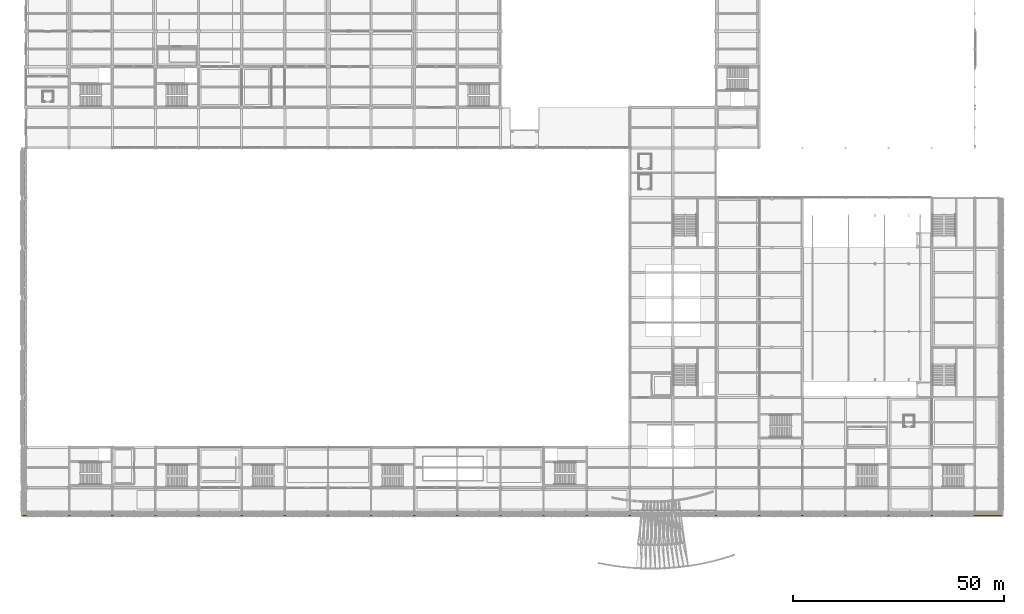
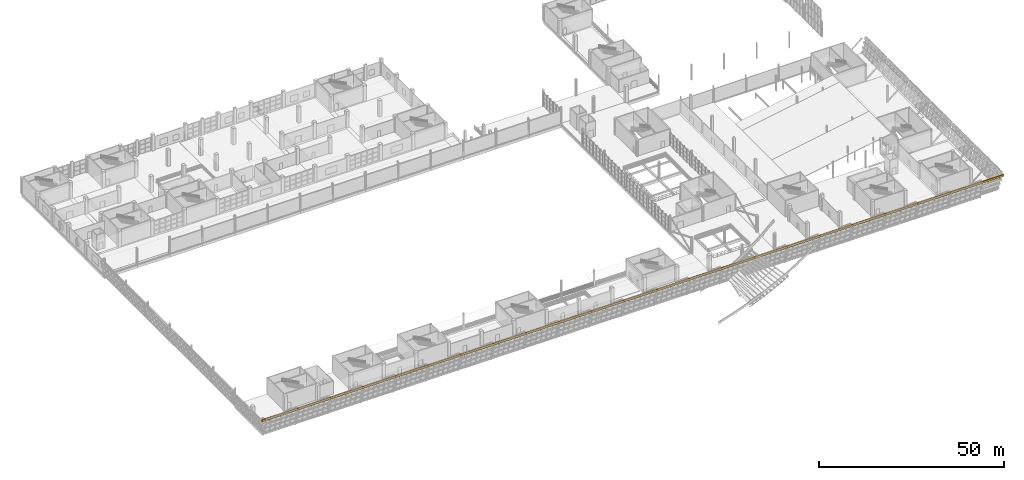
# One storey, part 157 of 175: 1 railing.
"""IFC4 building model written with IfcOpenShell, lengths in metres."""

from ifc_helpers import new_model, si_unit, direction, frame, origin, origin_2d, place, context, subcontext, project, spatial, rectangle, circle, extrude, material, type_object, element, save


model = new_model("IFC4")

# Units and contexts
model_context = context("Model", 3, precision=1e-05, world=origin(), true_north=direction((0.0, 1.0)))
body_context = subcontext(model_context, "Body", "Model", "MODEL_VIEW")
ifc_project = project(units=[si_unit("LENGTHUNIT", "METRE"), si_unit("AREAUNIT", "SQUARE_METRE"), si_unit("VOLUMEUNIT", "CUBIC_METRE"), si_unit("PLANEANGLEUNIT", "RADIAN"), si_unit("MASSUNIT", "GRAM", prefix="KILO")], contexts=[model_context])

# Site, building, storey
site_placement = place(None, origin())
site = spatial("IfcSite", under=ifc_project, at=site_placement, CompositionType="ELEMENT")
building_placement = place(site_placement, origin())
building = spatial("IfcBuilding", under=site, at=building_placement, Name="Brelvane Convention Centre", CompositionType="ELEMENT")
storey_placement = place(building_placement, frame((0.0, 0.0, 5.39990234375)))
storey = spatial("IfcBuildingStorey", under=building, at=storey_placement, Name="L01", CompositionType="ELEMENT", Elevation=5.39990234375)

# Railing
ifc_material = material(Name="Steel E350 (350 MPa)", Category="steel")
railing_type = type_object("IfcRailingType", Name="Railing BL-CU-1", PredefinedType="BALUSTRADE", material=ifc_material)
railing_placement = place(storey_placement, frame((-1.02587890625, 12.634033203125, 3.9501953125)))
element("IfcRailing", 1, at=railing_placement, inside=storey, type_object=railing_type, Name="Railing BL-CU-1 L01-cu_hull_s_3", PredefinedType="BALUSTRADE", context=body_context, shape_type="SweptSolid", body=[
    extrude(rectangle(XDim=0.280029296875, YDim=0.6201171875, at=origin_2d()), frame((0.0, 0.0, 0.81005859375), z_axis=(1.0, 0.0, 0.0), x_axis=(0.0, 1.0, 0.0)), (0.0, 0.0, 1.0), 231.991943359375),
    extrude(circle(Radius=0.02099609375, at=origin_2d()), origin(), (0.0, 0.0, 1.0), 1.072021484375),
    extrude(circle(Radius=0.02099609375, at=origin_2d()), frame((1.19580078125, 0.0, 0.0)), (0.0, 0.0, 1.0), 1.072021484375),
    extrude(circle(Radius=0.02099609375, at=origin_2d()), frame((2.3916015625, 0.0, 0.0)), (0.0, 0.0, 1.0), 1.072021484375),
    extrude(circle(Radius=0.02099609375, at=origin_2d()), frame((3.58740234375, 0.0, 0.0)), (0.0, 0.0, 1.0), 1.072021484375),
    extrude(circle(Radius=0.02099609375, at=origin_2d()), frame((4.783447265625, 0.0, 0.0)), (0.0, 0.0, 1.0), 1.072021484375),
    extrude(circle(Radius=0.02099609375, at=origin_2d()), frame((5.979248046875, 0.0, 0.0)), (0.0, 0.0, 1.0), 1.072021484375),
    extrude(circle(Radius=0.02099609375, at=origin_2d()), frame((7.175048828125, 0.0, 0.0)), (0.0, 0.0, 1.0), 1.072021484375),
    extrude(circle(Radius=0.02099609375, at=origin_2d()), frame((8.370849609375, 0.0, 0.0)), (0.0, 0.0, 1.0), 1.072021484375),
    extrude(circle(Radius=0.02099609375, at=origin_2d()), frame((9.566650390625, 0.0, 0.0)), (0.0, 0.0, 1.0), 1.072021484375),
    extrude(circle(Radius=0.02099609375, at=origin_2d()), frame((10.762451171875, 0.0, 0.0)), (0.0, 0.0, 1.0), 1.072021484375),
    extrude(circle(Radius=0.02099609375, at=origin_2d()), frame((11.958251953125, 0.0, 0.0)), (0.0, 0.0, 1.0), 1.072021484375),
    extrude(circle(Radius=0.02099609375, at=origin_2d()), frame((13.154296875, 0.0, 0.0)), (0.0, 0.0, 1.0), 1.072021484375),
    extrude(circle(Radius=0.02099609375, at=origin_2d()), frame((14.35009765625, 0.0, 0.0)), (0.0, 0.0, 1.0), 1.072021484375),
    extrude(circle(Radius=0.02099609375, at=origin_2d()), frame((15.5458984375, 0.0, 0.0)), (0.0, 0.0, 1.0), 1.072021484375),
    extrude(circle(Radius=0.02099609375, at=origin_2d()), frame((16.74169921875, 0.0, 0.0)), (0.0, 0.0, 1.0), 1.072021484375),
    extrude(circle(Radius=0.02099609375, at=origin_2d()), frame((17.9375, 0.0, 0.0)), (0.0, 0.0, 1.0), 1.072021484375),
    extrude(circle(Radius=0.02099609375, at=origin_2d()), frame((19.13330078125, 0.0, 0.0)), (0.0, 0.0, 1.0), 1.072021484375),
    extrude(circle(Radius=0.02099609375, at=origin_2d()), frame((20.3291015625, 0.0, 0.0)), (0.0, 0.0, 1.0), 1.072021484375),
    extrude(circle(Radius=0.02099609375, at=origin_2d()), frame((21.525146484375, 0.0, 0.0)), (0.0, 0.0, 1.0), 1.072021484375),
    extrude(circle(Radius=0.02099609375, at=origin_2d()), frame((22.720947265625, 0.0, 0.0)), (0.0, 0.0, 1.0), 1.072021484375),
    extrude(circle(Radius=0.02099609375, at=origin_2d()), frame((23.916748046875, 0.0, 0.0)), (0.0, 0.0, 1.0), 1.072021484375),
    extrude(circle(Radius=0.02099609375, at=origin_2d()), frame((25.112548828125, 0.0, 0.0)), (0.0, 0.0, 1.0), 1.072021484375),
    extrude(circle(Radius=0.02099609375, at=origin_2d()), frame((26.308349609375, 0.0, 0.0)), (0.0, 0.0, 1.0), 1.072021484375),
    extrude(circle(Radius=0.02099609375, at=origin_2d()), frame((27.504150390625, 0.0, 0.0)), (0.0, 0.0, 1.0), 1.072021484375),
    extrude(circle(Radius=0.02099609375, at=origin_2d()), frame((28.699951171875, 0.0, 0.0)), (0.0, 0.0, 1.0), 1.072021484375),
    extrude(circle(Radius=0.02099609375, at=origin_2d()), frame((29.895751953125, 0.0, 0.0)), (0.0, 0.0, 1.0), 1.072021484375),
    extrude(circle(Radius=0.02099609375, at=origin_2d()), frame((31.091796875, 0.0, 0.0)), (0.0, 0.0, 1.0), 1.072021484375),
    extrude(circle(Radius=0.02099609375, at=origin_2d()), frame((32.28759765625, 0.0, 0.0)), (0.0, 0.0, 1.0), 1.072021484375),
    extrude(circle(Radius=0.02099609375, at=origin_2d()), frame((33.4833984375, 0.0, 0.0)), (0.0, 0.0, 1.0), 1.072021484375),
    extrude(circle(Radius=0.02099609375, at=origin_2d()), frame((34.67919921875, 0.0, 0.0)), (0.0, 0.0, 1.0), 1.072021484375),
    extrude(circle(Radius=0.02099609375, at=origin_2d()), frame((35.875, 0.0, 0.0)), (0.0, 0.0, 1.0), 1.072021484375),
    extrude(circle(Radius=0.02099609375, at=origin_2d()), frame((37.07080078125, 0.0, 0.0)), (0.0, 0.0, 1.0), 1.072021484375),
    extrude(circle(Radius=0.02099609375, at=origin_2d()), frame((38.2666015625, 0.0, 0.0)), (0.0, 0.0, 1.0), 1.072021484375),
    extrude(circle(Radius=0.02099609375, at=origin_2d()), frame((39.462646484375, 0.0, 0.0)), (0.0, 0.0, 1.0), 1.072021484375),
    extrude(circle(Radius=0.02099609375, at=origin_2d()), frame((40.658447265625, 0.0, 0.0)), (0.0, 0.0, 1.0), 1.072021484375),
    extrude(circle(Radius=0.02099609375, at=origin_2d()), frame((41.854248046875, 0.0, 0.0)), (0.0, 0.0, 1.0), 1.072021484375),
    extrude(circle(Radius=0.02099609375, at=origin_2d()), frame((43.050048828125, 0.0, 0.0)), (0.0, 0.0, 1.0), 1.072021484375),
    extrude(circle(Radius=0.02099609375, at=origin_2d()), frame((44.245849609375, 0.0, 0.0)), (0.0, 0.0, 1.0), 1.072021484375),
    extrude(circle(Radius=0.02099609375, at=origin_2d()), frame((45.441650390625, 0.0, 0.0)), (0.0, 0.0, 1.0), 1.072021484375),
    extrude(circle(Radius=0.02099609375, at=origin_2d()), frame((46.637451171875, 0.0, 0.0)), (0.0, 0.0, 1.0), 1.072021484375),
    extrude(circle(Radius=0.02099609375, at=origin_2d()), frame((47.83349609375, 0.0, 0.0)), (0.0, 0.0, 1.0), 1.072021484375),
    extrude(circle(Radius=0.02099609375, at=origin_2d()), frame((49.029296875, 0.0, 0.0)), (0.0, 0.0, 1.0), 1.072021484375),
    extrude(circle(Radius=0.02099609375, at=origin_2d()), frame((50.22509765625, 0.0, 0.0)), (0.0, 0.0, 1.0), 1.072021484375),
    extrude(circle(Radius=0.02099609375, at=origin_2d()), frame((51.4208984375, 0.0, 0.0)), (0.0, 0.0, 1.0), 1.072021484375),
    extrude(circle(Radius=0.02099609375, at=origin_2d()), frame((52.61669921875, 0.0, 0.0)), (0.0, 0.0, 1.0), 1.072021484375),
    extrude(circle(Radius=0.02099609375, at=origin_2d()), frame((53.8125, 0.0, 0.0)), (0.0, 0.0, 1.0), 1.072021484375),
    extrude(circle(Radius=0.02099609375, at=origin_2d()), frame((55.00830078125, 0.0, 0.0)), (0.0, 0.0, 1.0), 1.072021484375),
    extrude(circle(Radius=0.02099609375, at=origin_2d()), frame((56.204345703125, 0.0, 0.0)), (0.0, 0.0, 1.0), 1.072021484375),
    extrude(circle(Radius=0.02099609375, at=origin_2d()), frame((57.400146484375, 0.0, 0.0)), (0.0, 0.0, 1.0), 1.072021484375),
    extrude(circle(Radius=0.02099609375, at=origin_2d()), frame((58.595947265625, 0.0, 0.0)), (0.0, 0.0, 1.0), 1.072021484375),
    extrude(circle(Radius=0.02099609375, at=origin_2d()), frame((59.791748046875, 0.0, 0.0)), (0.0, 0.0, 1.0), 1.072021484375),
    extrude(circle(Radius=0.02099609375, at=origin_2d()), frame((60.987548828125, 0.0, 0.0)), (0.0, 0.0, 1.0), 1.072021484375),
    extrude(circle(Radius=0.02099609375, at=origin_2d()), frame((62.183349609375, 0.0, 0.0)), (0.0, 0.0, 1.0), 1.072021484375),
    extrude(circle(Radius=0.02099609375, at=origin_2d()), frame((63.379150390625, 0.0, 0.0)), (0.0, 0.0, 1.0), 1.072021484375),
    extrude(circle(Radius=0.02099609375, at=origin_2d()), frame((64.5751953125, 0.0, 0.0)), (0.0, 0.0, 1.0), 1.072021484375),
    extrude(circle(Radius=0.02099609375, at=origin_2d()), frame((65.77099609375, 0.0, 0.0)), (0.0, 0.0, 1.0), 1.072021484375),
    extrude(circle(Radius=0.02099609375, at=origin_2d()), frame((66.966796875, 0.0, 0.0)), (0.0, 0.0, 1.0), 1.072021484375),
    extrude(circle(Radius=0.02099609375, at=origin_2d()), frame((68.16259765625, 0.0, 0.0)), (0.0, 0.0, 1.0), 1.072021484375),
    extrude(circle(Radius=0.02099609375, at=origin_2d()), frame((69.3583984375, 0.0, 0.0)), (0.0, 0.0, 1.0), 1.072021484375),
    extrude(circle(Radius=0.02099609375, at=origin_2d()), frame((70.55419921875, 0.0, 0.0)), (0.0, 0.0, 1.0), 1.072021484375),
    extrude(circle(Radius=0.02099609375, at=origin_2d()), frame((71.75, 0.0, 0.0)), (0.0, 0.0, 1.0), 1.072021484375),
    extrude(circle(Radius=0.02099609375, at=origin_2d()), frame((72.94580078125, 0.0, 0.0)), (0.0, 0.0, 1.0), 1.072021484375),
    extrude(circle(Radius=0.02099609375, at=origin_2d()), frame((74.141845703125, 0.0, 0.0)), (0.0, 0.0, 1.0), 1.072021484375),
    extrude(circle(Radius=0.02099609375, at=origin_2d()), frame((75.337646484375, 0.0, 0.0)), (0.0, 0.0, 1.0), 1.072021484375),
    extrude(circle(Radius=0.02099609375, at=origin_2d()), frame((76.533447265625, 0.0, 0.0)), (0.0, 0.0, 1.0), 1.072021484375),
    extrude(circle(Radius=0.02099609375, at=origin_2d()), frame((77.729248046875, 0.0, 0.0)), (0.0, 0.0, 1.0), 1.072021484375),
    extrude(circle(Radius=0.02099609375, at=origin_2d()), frame((78.925048828125, 0.0, 0.0)), (0.0, 0.0, 1.0), 1.072021484375),
    extrude(circle(Radius=0.02099609375, at=origin_2d()), frame((80.120849609375, 0.0, 0.0)), (0.0, 0.0, 1.0), 1.072021484375),
    extrude(circle(Radius=0.02099609375, at=origin_2d()), frame((81.316650390625, 0.0, 0.0)), (0.0, 0.0, 1.0), 1.072021484375),
    extrude(circle(Radius=0.02099609375, at=origin_2d()), frame((82.5126953125, 0.0, 0.0)), (0.0, 0.0, 1.0), 1.072021484375),
    extrude(circle(Radius=0.02099609375, at=origin_2d()), frame((83.70849609375, 0.0, 0.0)), (0.0, 0.0, 1.0), 1.072021484375),
    extrude(circle(Radius=0.02099609375, at=origin_2d()), frame((84.904296875, 0.0, 0.0)), (0.0, 0.0, 1.0), 1.072021484375),
    extrude(circle(Radius=0.02099609375, at=origin_2d()), frame((86.10009765625, 0.0, 0.0)), (0.0, 0.0, 1.0), 1.072021484375),
    extrude(circle(Radius=0.02099609375, at=origin_2d()), frame((87.2958984375, 0.0, 0.0)), (0.0, 0.0, 1.0), 1.072021484375),
    extrude(circle(Radius=0.02099609375, at=origin_2d()), frame((88.49169921875, 0.0, 0.0)), (0.0, 0.0, 1.0), 1.072021484375),
    extrude(circle(Radius=0.02099609375, at=origin_2d()), frame((89.6875, 0.0, 0.0)), (0.0, 0.0, 1.0), 1.072021484375),
    extrude(circle(Radius=0.02099609375, at=origin_2d()), frame((90.883544921875, 0.0, 0.0)), (0.0, 0.0, 1.0), 1.072021484375),
    extrude(circle(Radius=0.02099609375, at=origin_2d()), frame((92.079345703125, 0.0, 0.0)), (0.0, 0.0, 1.0), 1.072021484375),
    extrude(circle(Radius=0.02099609375, at=origin_2d()), frame((93.275146484375, 0.0, 0.0)), (0.0, 0.0, 1.0), 1.072021484375),
    extrude(circle(Radius=0.02099609375, at=origin_2d()), frame((94.470947265625, 0.0, 0.0)), (0.0, 0.0, 1.0), 1.072021484375),
    extrude(circle(Radius=0.02099609375, at=origin_2d()), frame((95.666748046875, 0.0, 0.0)), (0.0, 0.0, 1.0), 1.072021484375),
    extrude(circle(Radius=0.02099609375, at=origin_2d()), frame((96.862548828125, 0.0, 0.0)), (0.0, 0.0, 1.0), 1.072021484375),
    extrude(circle(Radius=0.02099609375, at=origin_2d()), frame((98.058349609375, 0.0, 0.0)), (0.0, 0.0, 1.0), 1.072021484375),
    extrude(circle(Radius=0.02099609375, at=origin_2d()), frame((99.25439453125, 0.0, 0.0)), (0.0, 0.0, 1.0), 1.072021484375),
    extrude(circle(Radius=0.02099609375, at=origin_2d()), frame((100.4501953125, 0.0, 0.0)), (0.0, 0.0, 1.0), 1.072021484375),
    extrude(circle(Radius=0.02099609375, at=origin_2d()), frame((101.64599609375, 0.0, 0.0)), (0.0, 0.0, 1.0), 1.072021484375),
    extrude(circle(Radius=0.02099609375, at=origin_2d()), frame((102.841796875, 0.0, 0.0)), (0.0, 0.0, 1.0), 1.072021484375),
    extrude(circle(Radius=0.02099609375, at=origin_2d()), frame((104.03759765625, 0.0, 0.0)), (0.0, 0.0, 1.0), 1.072021484375),
    extrude(circle(Radius=0.02099609375, at=origin_2d()), frame((105.2333984375, 0.0, 0.0)), (0.0, 0.0, 1.0), 1.072021484375),
    extrude(circle(Radius=0.02099609375, at=origin_2d()), frame((106.42919921875, 0.0, 0.0)), (0.0, 0.0, 1.0), 1.072021484375),
    extrude(circle(Radius=0.02099609375, at=origin_2d()), frame((107.625244140625, 0.0, 0.0)), (0.0, 0.0, 1.0), 1.072021484375),
    extrude(circle(Radius=0.02099609375, at=origin_2d()), frame((108.821044921875, 0.0, 0.0)), (0.0, 0.0, 1.0), 1.072021484375),
    extrude(circle(Radius=0.02099609375, at=origin_2d()), frame((110.016845703125, 0.0, 0.0)), (0.0, 0.0, 1.0), 1.072021484375),
    extrude(circle(Radius=0.02099609375, at=origin_2d()), frame((111.212646484375, 0.0, 0.0)), (0.0, 0.0, 1.0), 1.072021484375),
    extrude(circle(Radius=0.02099609375, at=origin_2d()), frame((112.408447265625, 0.0, 0.0)), (0.0, 0.0, 1.0), 1.072021484375),
    extrude(circle(Radius=0.02099609375, at=origin_2d()), frame((113.604248046875, 0.0, 0.0)), (0.0, 0.0, 1.0), 1.072021484375),
    extrude(circle(Radius=0.02099609375, at=origin_2d()), frame((114.800048828125, 0.0, 0.0)), (0.0, 0.0, 1.0), 1.072021484375),
    extrude(circle(Radius=0.02099609375, at=origin_2d()), frame((115.99609375, 0.0, 0.0)), (0.0, 0.0, 1.0), 1.072021484375),
    extrude(circle(Radius=0.02099609375, at=origin_2d()), frame((117.19189453125, 0.0, 0.0)), (0.0, 0.0, 1.0), 1.072021484375),
    extrude(circle(Radius=0.02099609375, at=origin_2d()), frame((118.3876953125, 0.0, 0.0)), (0.0, 0.0, 1.0), 1.072021484375),
    extrude(circle(Radius=0.02099609375, at=origin_2d()), frame((119.58349609375, 0.0, 0.0)), (0.0, 0.0, 1.0), 1.072021484375),
    extrude(circle(Radius=0.02099609375, at=origin_2d()), frame((120.779296875, 0.0, 0.0)), (0.0, 0.0, 1.0), 1.072021484375),
    extrude(circle(Radius=0.02099609375, at=origin_2d()), frame((121.97509765625, 0.0, 0.0)), (0.0, 0.0, 1.0), 1.072021484375),
    extrude(circle(Radius=0.02099609375, at=origin_2d()), frame((123.1708984375, 0.0, 0.0)), (0.0, 0.0, 1.0), 1.072021484375),
    extrude(circle(Radius=0.02099609375, at=origin_2d()), frame((124.36669921875, 0.0, 0.0)), (0.0, 0.0, 1.0), 1.072021484375),
    extrude(circle(Radius=0.02099609375, at=origin_2d()), frame((125.562744140625, 0.0, 0.0)), (0.0, 0.0, 1.0), 1.072021484375),
    extrude(circle(Radius=0.02099609375, at=origin_2d()), frame((126.758544921875, 0.0, 0.0)), (0.0, 0.0, 1.0), 1.072021484375),
    extrude(circle(Radius=0.02099609375, at=origin_2d()), frame((127.954345703125, 0.0, 0.0)), (0.0, 0.0, 1.0), 1.072021484375),
    extrude(circle(Radius=0.02099609375, at=origin_2d()), frame((129.150146484375, 0.0, 0.0)), (0.0, 0.0, 1.0), 1.072021484375),
    extrude(circle(Radius=0.02099609375, at=origin_2d()), frame((130.345947265625, 0.0, 0.0)), (0.0, 0.0, 1.0), 1.072021484375),
    extrude(circle(Radius=0.02099609375, at=origin_2d()), frame((131.541748046875, 0.0, 0.0)), (0.0, 0.0, 1.0), 1.072021484375),
    extrude(circle(Radius=0.02099609375, at=origin_2d()), frame((132.737548828125, 0.0, 0.0)), (0.0, 0.0, 1.0), 1.072021484375),
    extrude(circle(Radius=0.02099609375, at=origin_2d()), frame((133.93359375, 0.0, 0.0)), (0.0, 0.0, 1.0), 1.072021484375),
    extrude(circle(Radius=0.02099609375, at=origin_2d()), frame((135.12939453125, 0.0, 0.0)), (0.0, 0.0, 1.0), 1.072021484375),
    extrude(circle(Radius=0.02099609375, at=origin_2d()), frame((136.3251953125, 0.0, 0.0)), (0.0, 0.0, 1.0), 1.072021484375),
    extrude(circle(Radius=0.02099609375, at=origin_2d()), frame((137.52099609375, 0.0, 0.0)), (0.0, 0.0, 1.0), 1.072021484375),
    extrude(circle(Radius=0.02099609375, at=origin_2d()), frame((138.716796875, 0.0, 0.0)), (0.0, 0.0, 1.0), 1.072021484375),
    extrude(circle(Radius=0.02099609375, at=origin_2d()), frame((139.91259765625, 0.0, 0.0)), (0.0, 0.0, 1.0), 1.072021484375),
    extrude(circle(Radius=0.02099609375, at=origin_2d()), frame((141.1083984375, 0.0, 0.0)), (0.0, 0.0, 1.0), 1.072021484375),
    extrude(circle(Radius=0.02099609375, at=origin_2d()), frame((142.304443359375, 0.0, 0.0)), (0.0, 0.0, 1.0), 1.072021484375),
    extrude(circle(Radius=0.02099609375, at=origin_2d()), frame((143.500244140625, 0.0, 0.0)), (0.0, 0.0, 1.0), 1.072021484375),
    extrude(circle(Radius=0.02099609375, at=origin_2d()), frame((144.696044921875, 0.0, 0.0)), (0.0, 0.0, 1.0), 1.072021484375),
    extrude(circle(Radius=0.02099609375, at=origin_2d()), frame((145.891845703125, 0.0, 0.0)), (0.0, 0.0, 1.0), 1.072021484375),
    extrude(circle(Radius=0.02099609375, at=origin_2d()), frame((147.087646484375, 0.0, 0.0)), (0.0, 0.0, 1.0), 1.072021484375),
    extrude(circle(Radius=0.02099609375, at=origin_2d()), frame((148.283447265625, 0.0, 0.0)), (0.0, 0.0, 1.0), 1.072021484375),
    extrude(circle(Radius=0.02099609375, at=origin_2d()), frame((149.479248046875, 0.0, 0.0)), (0.0, 0.0, 1.0), 1.072021484375),
    extrude(circle(Radius=0.02099609375, at=origin_2d()), frame((150.67529296875, 0.0, 0.0)), (0.0, 0.0, 1.0), 1.072021484375),
    extrude(circle(Radius=0.02099609375, at=origin_2d()), frame((151.87109375, 0.0, 0.0)), (0.0, 0.0, 1.0), 1.072021484375),
    extrude(circle(Radius=0.02099609375, at=origin_2d()), frame((153.06689453125, 0.0, 0.0)), (0.0, 0.0, 1.0), 1.072021484375),
    extrude(circle(Radius=0.02099609375, at=origin_2d()), frame((154.2626953125, 0.0, 0.0)), (0.0, 0.0, 1.0), 1.072021484375),
    extrude(circle(Radius=0.02099609375, at=origin_2d()), frame((155.45849609375, 0.0, 0.0)), (0.0, 0.0, 1.0), 1.072021484375),
    extrude(circle(Radius=0.02099609375, at=origin_2d()), frame((156.654296875, 0.0, 0.0)), (0.0, 0.0, 1.0), 1.072021484375),
    extrude(circle(Radius=0.02099609375, at=origin_2d()), frame((157.85009765625, 0.0, 0.0)), (0.0, 0.0, 1.0), 1.072021484375),
    extrude(circle(Radius=0.02099609375, at=origin_2d()), frame((159.046142578125, 0.0, 0.0)), (0.0, 0.0, 1.0), 1.072021484375),
    extrude(circle(Radius=0.02099609375, at=origin_2d()), frame((160.241943359375, 0.0, 0.0)), (0.0, 0.0, 1.0), 1.072021484375),
    extrude(circle(Radius=0.02099609375, at=origin_2d()), frame((161.437744140625, 0.0, 0.0)), (0.0, 0.0, 1.0), 1.072021484375),
    extrude(circle(Radius=0.02099609375, at=origin_2d()), frame((162.633544921875, 0.0, 0.0)), (0.0, 0.0, 1.0), 1.072021484375),
    extrude(circle(Radius=0.02099609375, at=origin_2d()), frame((163.829345703125, 0.0, 0.0)), (0.0, 0.0, 1.0), 1.072021484375),
    extrude(circle(Radius=0.02099609375, at=origin_2d()), frame((165.025146484375, 0.0, 0.0)), (0.0, 0.0, 1.0), 1.072021484375),
    extrude(circle(Radius=0.02099609375, at=origin_2d()), frame((166.220947265625, 0.0, 0.0)), (0.0, 0.0, 1.0), 1.072021484375),
    extrude(circle(Radius=0.02099609375, at=origin_2d()), frame((167.416748046875, 0.0, 0.0)), (0.0, 0.0, 1.0), 1.072021484375),
    extrude(circle(Radius=0.02099609375, at=origin_2d()), frame((168.61279296875, 0.0, 0.0)), (0.0, 0.0, 1.0), 1.072021484375),
    extrude(circle(Radius=0.02099609375, at=origin_2d()), frame((169.80859375, 0.0, 0.0)), (0.0, 0.0, 1.0), 1.072021484375),
    extrude(circle(Radius=0.02099609375, at=origin_2d()), frame((171.00439453125, 0.0, 0.0)), (0.0, 0.0, 1.0), 1.072021484375),
    extrude(circle(Radius=0.02099609375, at=origin_2d()), frame((172.2001953125, 0.0, 0.0)), (0.0, 0.0, 1.0), 1.072021484375),
    extrude(circle(Radius=0.02099609375, at=origin_2d()), frame((173.39599609375, 0.0, 0.0)), (0.0, 0.0, 1.0), 1.072021484375),
    extrude(circle(Radius=0.02099609375, at=origin_2d()), frame((174.591796875, 0.0, 0.0)), (0.0, 0.0, 1.0), 1.072021484375),
    extrude(circle(Radius=0.02099609375, at=origin_2d()), frame((175.78759765625, 0.0, 0.0)), (0.0, 0.0, 1.0), 1.072021484375),
    extrude(circle(Radius=0.02099609375, at=origin_2d()), frame((176.983642578125, 0.0, 0.0)), (0.0, 0.0, 1.0), 1.072021484375),
    extrude(circle(Radius=0.02099609375, at=origin_2d()), frame((178.179443359375, 0.0, 0.0)), (0.0, 0.0, 1.0), 1.072021484375),
    extrude(circle(Radius=0.02099609375, at=origin_2d()), frame((179.375244140625, 0.0, 0.0)), (0.0, 0.0, 1.0), 1.072021484375),
    extrude(circle(Radius=0.02099609375, at=origin_2d()), frame((180.571044921875, 0.0, 0.0)), (0.0, 0.0, 1.0), 1.072021484375),
    extrude(circle(Radius=0.02099609375, at=origin_2d()), frame((181.766845703125, 0.0, 0.0)), (0.0, 0.0, 1.0), 1.072021484375),
    extrude(circle(Radius=0.02099609375, at=origin_2d()), frame((182.962646484375, 0.0, 0.0)), (0.0, 0.0, 1.0), 1.072021484375),
    extrude(circle(Radius=0.02099609375, at=origin_2d()), frame((184.158447265625, 0.0, 0.0)), (0.0, 0.0, 1.0), 1.072021484375),
    extrude(circle(Radius=0.02099609375, at=origin_2d()), frame((185.3544921875, 0.0, 0.0)), (0.0, 0.0, 1.0), 1.072021484375),
    extrude(circle(Radius=0.02099609375, at=origin_2d()), frame((186.55029296875, 0.0, 0.0)), (0.0, 0.0, 1.0), 1.072021484375),
    extrude(circle(Radius=0.02099609375, at=origin_2d()), frame((187.74609375, 0.0, 0.0)), (0.0, 0.0, 1.0), 1.072021484375),
    extrude(circle(Radius=0.02099609375, at=origin_2d()), frame((188.94189453125, 0.0, 0.0)), (0.0, 0.0, 1.0), 1.072021484375),
    extrude(circle(Radius=0.02099609375, at=origin_2d()), frame((190.1376953125, 0.0, 0.0)), (0.0, 0.0, 1.0), 1.072021484375),
    extrude(circle(Radius=0.02099609375, at=origin_2d()), frame((191.33349609375, 0.0, 0.0)), (0.0, 0.0, 1.0), 1.072021484375),
    extrude(circle(Radius=0.02099609375, at=origin_2d()), frame((192.529296875, 0.0, 0.0)), (0.0, 0.0, 1.0), 1.072021484375),
    extrude(circle(Radius=0.02099609375, at=origin_2d()), frame((193.725341796875, 0.0, 0.0)), (0.0, 0.0, 1.0), 1.072021484375),
    extrude(circle(Radius=0.02099609375, at=origin_2d()), frame((194.921142578125, 0.0, 0.0)), (0.0, 0.0, 1.0), 1.072021484375),
    extrude(circle(Radius=0.02099609375, at=origin_2d()), frame((196.116943359375, 0.0, 0.0)), (0.0, 0.0, 1.0), 1.072021484375),
    extrude(circle(Radius=0.02099609375, at=origin_2d()), frame((197.312744140625, 0.0, 0.0)), (0.0, 0.0, 1.0), 1.072021484375),
    extrude(circle(Radius=0.02099609375, at=origin_2d()), frame((198.508544921875, 0.0, 0.0)), (0.0, 0.0, 1.0), 1.072021484375),
    extrude(circle(Radius=0.02099609375, at=origin_2d()), frame((199.704345703125, 0.0, 0.0)), (0.0, 0.0, 1.0), 1.072021484375),
    extrude(circle(Radius=0.02099609375, at=origin_2d()), frame((200.900146484375, 0.0, 0.0)), (0.0, 0.0, 1.0), 1.072021484375),
    extrude(circle(Radius=0.02099609375, at=origin_2d()), frame((202.09619140625, 0.0, 0.0)), (0.0, 0.0, 1.0), 1.072021484375),
    extrude(circle(Radius=0.02099609375, at=origin_2d()), frame((203.2919921875, 0.0, 0.0)), (0.0, 0.0, 1.0), 1.072021484375),
    extrude(circle(Radius=0.02099609375, at=origin_2d()), frame((204.48779296875, 0.0, 0.0)), (0.0, 0.0, 1.0), 1.072021484375),
    extrude(circle(Radius=0.02099609375, at=origin_2d()), frame((205.68359375, 0.0, 0.0)), (0.0, 0.0, 1.0), 1.072021484375),
    extrude(circle(Radius=0.02099609375, at=origin_2d()), frame((206.87939453125, 0.0, 0.0)), (0.0, 0.0, 1.0), 1.072021484375),
    extrude(circle(Radius=0.02099609375, at=origin_2d()), frame((208.0751953125, 0.0, 0.0)), (0.0, 0.0, 1.0), 1.072021484375),
    extrude(circle(Radius=0.02099609375, at=origin_2d()), frame((209.27099609375, 0.0, 0.0)), (0.0, 0.0, 1.0), 1.072021484375),
    extrude(circle(Radius=0.02099609375, at=origin_2d()), frame((210.466796875, 0.0, 0.0)), (0.0, 0.0, 1.0), 1.072021484375),
    extrude(circle(Radius=0.02099609375, at=origin_2d()), frame((211.662841796875, 0.0, 0.0)), (0.0, 0.0, 1.0), 1.072021484375),
    extrude(circle(Radius=0.02099609375, at=origin_2d()), frame((212.858642578125, 0.0, 0.0)), (0.0, 0.0, 1.0), 1.072021484375),
    extrude(circle(Radius=0.02099609375, at=origin_2d()), frame((214.054443359375, 0.0, 0.0)), (0.0, 0.0, 1.0), 1.072021484375),
    extrude(circle(Radius=0.02099609375, at=origin_2d()), frame((215.250244140625, 0.0, 0.0)), (0.0, 0.0, 1.0), 1.072021484375),
    extrude(circle(Radius=0.02099609375, at=origin_2d()), frame((216.446044921875, 0.0, 0.0)), (0.0, 0.0, 1.0), 1.072021484375),
    extrude(circle(Radius=0.02099609375, at=origin_2d()), frame((217.641845703125, 0.0, 0.0)), (0.0, 0.0, 1.0), 1.072021484375),
    extrude(circle(Radius=0.02099609375, at=origin_2d()), frame((218.837646484375, 0.0, 0.0)), (0.0, 0.0, 1.0), 1.072021484375),
    extrude(circle(Radius=0.02099609375, at=origin_2d()), frame((220.03369140625, 0.0, 0.0)), (0.0, 0.0, 1.0), 1.072021484375),
    extrude(circle(Radius=0.02099609375, at=origin_2d()), frame((221.2294921875, 0.0, 0.0)), (0.0, 0.0, 1.0), 1.072021484375),
    extrude(circle(Radius=0.02099609375, at=origin_2d()), frame((222.42529296875, 0.0, 0.0)), (0.0, 0.0, 1.0), 1.072021484375),
    extrude(circle(Radius=0.02099609375, at=origin_2d()), frame((223.62109375, 0.0, 0.0)), (0.0, 0.0, 1.0), 1.072021484375),
    extrude(circle(Radius=0.02099609375, at=origin_2d()), frame((224.81689453125, 0.0, 0.0)), (0.0, 0.0, 1.0), 1.072021484375),
    extrude(circle(Radius=0.02099609375, at=origin_2d()), frame((226.0126953125, 0.0, 0.0)), (0.0, 0.0, 1.0), 1.072021484375),
    extrude(circle(Radius=0.02099609375, at=origin_2d()), frame((227.20849609375, 0.0, 0.0)), (0.0, 0.0, 1.0), 1.072021484375),
    extrude(circle(Radius=0.02099609375, at=origin_2d()), frame((228.404541015625, 0.0, 0.0)), (0.0, 0.0, 1.0), 1.072021484375),
    extrude(circle(Radius=0.02099609375, at=origin_2d()), frame((229.600341796875, 0.0, 0.0)), (0.0, 0.0, 1.0), 1.072021484375),
    extrude(circle(Radius=0.02099609375, at=origin_2d()), frame((230.796142578125, 0.0, 0.0)), (0.0, 0.0, 1.0), 1.072021484375),
    extrude(circle(Radius=0.02099609375, at=origin_2d()), frame((231.991943359375, 0.0, 0.0)), (0.0, 0.0, 1.0), 1.072021484375),
])

save(model, "model.ifc")
